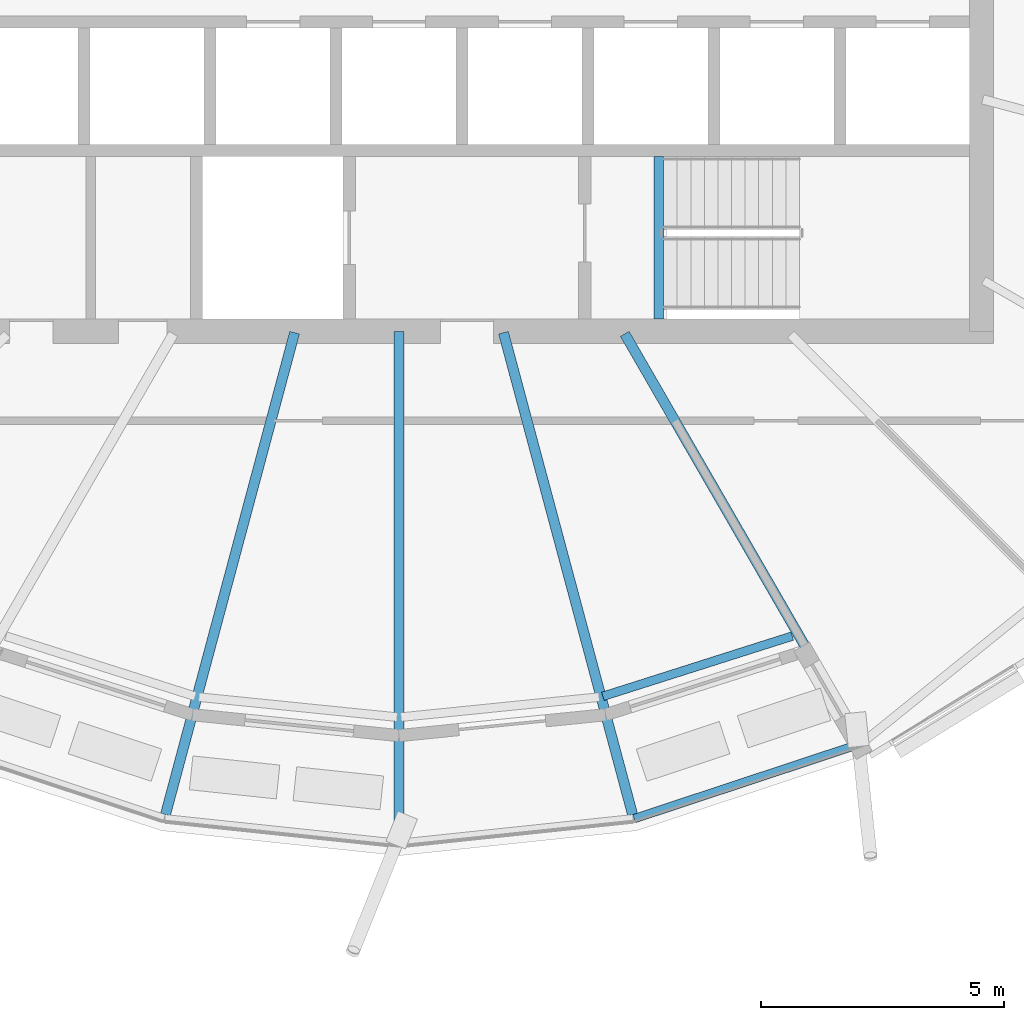
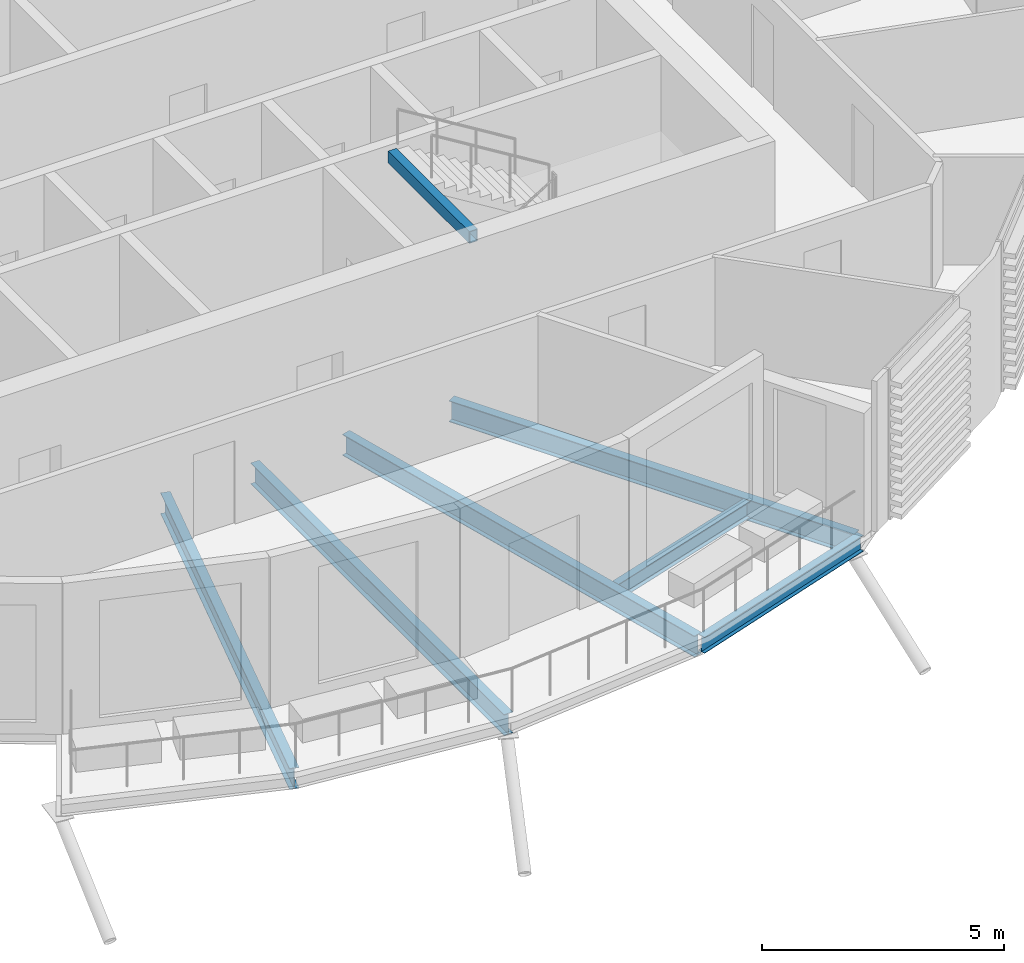
# One storey, part 4 of 41: 7 beams.
"""IFC4 building model written with IfcOpenShell, lengths in metres."""

from ifc_helpers import new_model, si_unit, direction, frame, origin, origin_2d, place, context, subcontext, project, spatial, hollow_rectangle, i_section, extrude, material, material_profile, profile_set, type_object, element, save


model = new_model("IFC4")

# Units and contexts
model_context = context("Model", 3, precision=1e-05, world=origin(), true_north=direction((0.0, 1.0)))
body_context = subcontext(model_context, "Body", "Model", "MODEL_VIEW")
ifc_project = project(units=[si_unit("LENGTHUNIT", "METRE"), si_unit("AREAUNIT", "SQUARE_METRE"), si_unit("VOLUMEUNIT", "CUBIC_METRE"), si_unit("PLANEANGLEUNIT", "RADIAN"), si_unit("MASSUNIT", "GRAM", prefix="KILO")], contexts=[model_context])

# Site, building, storey
site_placement = place(None, origin())
site = spatial("IfcSite", under=ifc_project, at=site_placement, CompositionType="ELEMENT")
building_placement = place(site_placement, origin())
building = spatial("IfcBuilding", under=site, at=building_placement, Name="Rimbun Link Towers", CompositionType="ELEMENT")
storey_placement = place(building_placement, frame((0.0, 0.0, 210.5)))
storey = spatial("IfcBuildingStorey", under=building, at=storey_placement, Name="L51", CompositionType="ELEMENT", Elevation=210.5)

# Beams
ifc_material_1 = material(Name="Steel S355J2", Category="steel")
ifc_material_profile_1 = material_profile(ifc_material_1, hollow_rectangle(XDim=0.199951171875, YDim=0.300048828125, WallThickness=0.011962890625, at=origin_2d()), Name="BOX 300x200x12")
ifc_profile_set_1 = profile_set([ifc_material_profile_1], Name="Steel S355J2")
beam_type_1 = type_object("IfcBeamType", Name="Stair trimmer beam BOX 300x200x12", PredefinedType="BEAM", material=ifc_profile_set_1)
beam_1_placement = place(storey_placement, frame((-26.39990234375, -7.75, 3.510009765625), z_axis=(0.0, 1.0, 0.0), x_axis=(-1.0, 0.0, 0.0)))
element("IfcBeam", 1, at=beam_1_placement, inside=storey, type_object=beam_type_1, Name="L51 ST2 stair beam 1", PredefinedType="BEAM", context=body_context, shape_type="SweptSolid", body=[
    extrude(hollow_rectangle(XDim=0.199951171875, YDim=0.300048828125, WallThickness=0.011962890625, at=origin_2d()), origin(), (0.0, 0.0, 1.0), 3.35009765625),
])
ifc_material_2 = material(Name="Steel S355J2", Category="steel")
ifc_material_profile_2 = material_profile(ifc_material_2, i_section(OverallWidth=0.177978515625, OverallDepth=0.406494140625, WebThickness=0.0078125, FlangeThickness=0.0126953125, at=origin_2d()), Name="UB 406x178x60")
ifc_profile_set_2 = profile_set([ifc_material_profile_2], Name="Steel S355J2")
beam_type_2 = type_object("IfcBeamType", Name="UB 406x178x60", PredefinedType="BEAM", material=ifc_profile_set_2)
beam_2_placement = place(storey_placement, frame((-27.55126953125, -15.52001953125, -0.34326171875), z_axis=(0.952969629288, 0.303065810766, 0.0), x_axis=(-0.303065810766, 0.952969629288, 0.0)))
element("IfcBeam", 2, at=beam_2_placement, inside=storey, type_object=beam_type_2, Name="Edge beam T1 L51 19 recess", PredefinedType="BEAM", context=body_context, shape_type="SweptSolid", body=[
    extrude(i_section(OverallWidth=0.177978515625, OverallDepth=0.406494140625, WebThickness=0.0078125, FlangeThickness=0.0126953125, at=origin_2d()), origin(), (0.0, 0.0, 1.0), 4.093994140625),
])
beam_3_placement = place(storey_placement, frame((-26.9052734375, -18.039794921875, -0.34326171875), z_axis=(0.949404490689, 0.314055907539, 0.0), x_axis=(-0.314055907539, 0.949404490689, 0.0)))
element("IfcBeam", 3, at=beam_3_placement, inside=storey, type_object=beam_type_2, Name="Edge beam T1 L51 19 terrace", PredefinedType="BEAM", context=body_context, shape_type="SweptSolid", body=[
    extrude(i_section(OverallWidth=0.177978515625, OverallDepth=0.406494140625, WebThickness=0.0078125, FlangeThickness=0.0126953125, at=origin_2d()), origin(), (0.0, 0.0, 1.0), 4.925537109375),
])
ifc_material_3 = material(Name="Steel S355J2", Category="steel")
ifc_material_profile_3 = material_profile(ifc_material_3, i_section(OverallWidth=0.209228515625, OverallDepth=0.533203125, WebThickness=0.010009765625, FlangeThickness=0.015625, at=origin_2d()), Name="UB 533x210x92")
ifc_profile_set_3 = profile_set([ifc_material_profile_3], Name="Steel S355J2")
beam_type_3 = type_object("IfcBeamType", Name="UB 533x210x92", PredefinedType="BEAM", material=ifc_profile_set_3)
beam_4_placement = place(storey_placement, frame((-33.901123046875, -8.028076171875, -0.406494140625), z_axis=(-0.258809696013, -0.965928331321, 0.0), x_axis=(0.965928331321, -0.258809696013, 0.0)))
element("IfcBeam", 4, at=beam_4_placement, inside=storey, type_object=beam_type_3, Name="Radial beam T1 L51 17", PredefinedType="BEAM", context=body_context, shape_type="SweptSolid", body=[
    extrude(i_section(OverallWidth=0.209228515625, OverallDepth=0.533203125, WebThickness=0.010009765625, FlangeThickness=0.015625, at=origin_2d()), origin(), (0.0, 0.0, 1.0), 10.2783203125),
])
beam_5_placement = place(storey_placement, frame((-31.75, -8.0009765625, -0.406494140625), z_axis=(0.0, -1.0, 0.0), x_axis=(1.0, 0.0, 0.0)))
element("IfcBeam", 5, at=beam_5_placement, inside=storey, type_object=beam_type_3, Name="Radial beam T1 L51 18", PredefinedType="BEAM", context=body_context, shape_type="SweptSolid", body=[
    extrude(i_section(OverallWidth=0.209228515625, OverallDepth=0.533203125, WebThickness=0.010009765625, FlangeThickness=0.015625, at=origin_2d()), origin(), (0.0, 0.0, 1.0), 10.46142578125),
])
beam_6_placement = place(storey_placement, frame((-29.598876953125, -8.028076171875, -0.406494140625), z_axis=(0.258809696013, -0.965928331321, 0.0), x_axis=(0.965928331321, 0.258809696013, 0.0)))
element("IfcBeam", 6, at=beam_6_placement, inside=storey, type_object=beam_type_3, Name="Radial beam T1 L51 19", PredefinedType="BEAM", context=body_context, shape_type="SweptSolid", body=[
    extrude(i_section(OverallWidth=0.209228515625, OverallDepth=0.533203125, WebThickness=0.010009765625, FlangeThickness=0.015625, at=origin_2d()), origin(), (0.0, 0.0, 1.0), 10.2783203125),
])
beam_7_placement = place(storey_placement, frame((-27.1005859375, -8.05322265625, -0.406494140625), z_axis=(0.500007057792, -0.866021328928, 0.0), x_axis=(0.866021328928, 0.500007057792, 0.0)))
element("IfcBeam", 7, at=beam_7_placement, inside=storey, type_object=beam_type_3, Name="Radial beam T1 L51 20", PredefinedType="BEAM", context=body_context, shape_type="SweptSolid", body=[
    extrude(i_section(OverallWidth=0.209228515625, OverallDepth=0.533203125, WebThickness=0.010009765625, FlangeThickness=0.015625, at=origin_2d()), origin(), (0.0, 0.0, 1.0), 9.653076171875),
])

save(model, "model.ifc")
